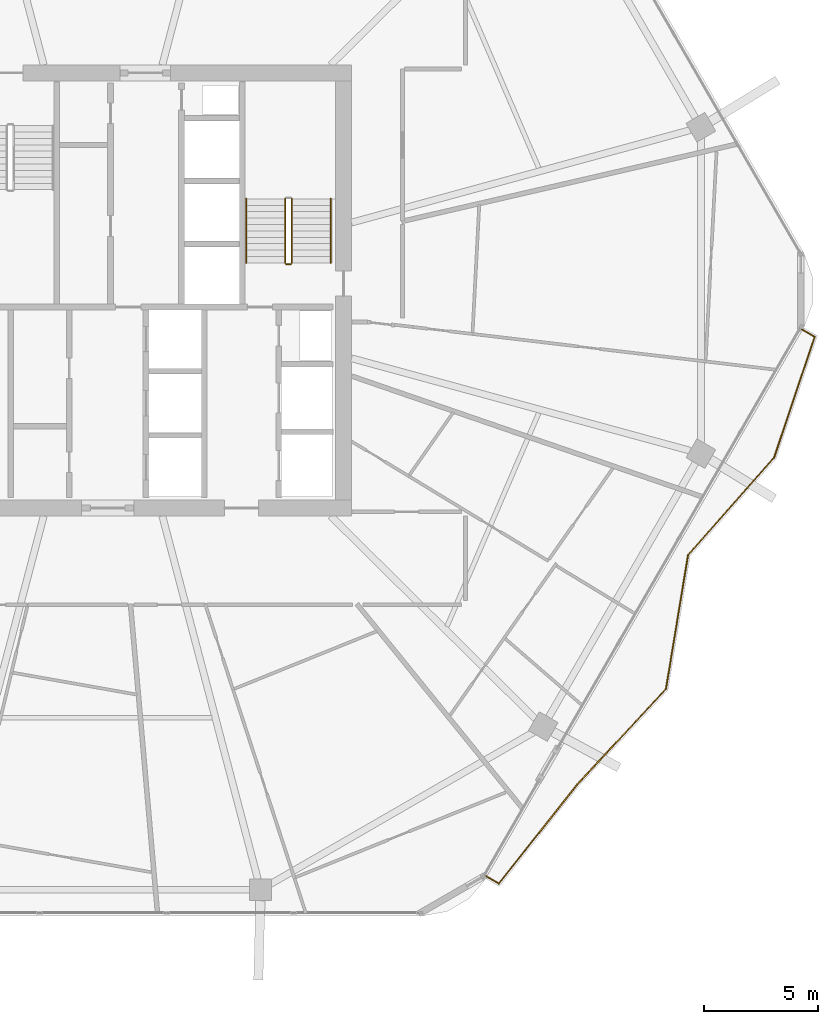
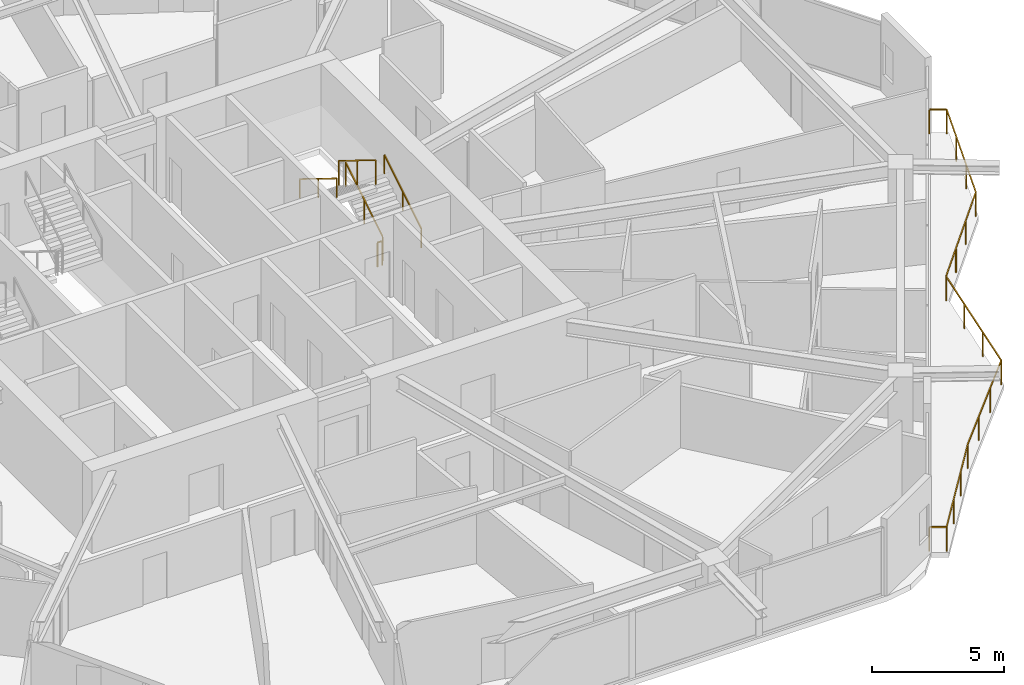
# One storey, part 24 of 26: 6 railings.
"""IFC4 building model written with IfcOpenShell, lengths in metres."""

import ifcopenshell
import ifcopenshell.guid

model = None  # the IFC model being written
_history = None  # IfcOwnerHistory: only IFC2X3 demands one
_inside = {}  # id of a spatial element -> (the spatial element, [elements in it])
_under = {}  # id of a project, library or spatial element -> (it, [spatial elements below it])
_declared = {}  # id of a project -> (the project, [libraries it declares])
_typed = {}  # id of a type object -> (the type object, [elements of that type])
_made_of = {}  # id of a material, layer set ... -> (it, [elements and type objects made of it])


def new_model(schema):
    """Start an empty IFC model of exactly this schema.

    Asked for "IFC4X3", IfcOpenShell would pick the latest addendum, in which some entities
    have other attributes; the version numbers below select the first issue.
    IFC2X3 requires an IfcOwnerHistory on every rooted entity: one is made here for all.
    """
    global model, _history
    if schema == "IFC4X3":
        model = ifcopenshell.file(schema_version=(4, 3, 0, 0))
    else:
        model = ifcopenshell.file(schema=schema)
    _inside.clear()
    _under.clear()
    _declared.clear()
    _typed.clear()
    _made_of.clear()
    _history = None
    if model.schema == "IFC2X3":
        org = make("IfcOrganization", Name="unknown")
        user = make(
            "IfcPersonAndOrganization",
            ThePerson=make("IfcPerson", FamilyName="unknown"),
            TheOrganization=org,
        )
        app = make(
            "IfcApplication",
            ApplicationDeveloper=org,
            Version="unknown",
            ApplicationFullName="unknown",
            ApplicationIdentifier="unknown",
        )
        _history = make(
            "IfcOwnerHistory",
            OwningUser=user,
            OwningApplication=app,
            ChangeAction="ADDED",
            CreationDate=0,
        )
    return model


def make(cls, **values):
    """One entity of the class cls with the attributes given. An attribute that is None is left unset."""
    return model.create_entity(
        cls, **{name: value for name, value in values.items() if value is not None}
    )


def rooted(cls, **values):
    """An entity with a GlobalId (a new one), such as an element, a storey or a relation."""
    return make(cls, GlobalId=ifcopenshell.guid.new(), OwnerHistory=_history, **values)


def si_unit(unit_type, name, prefix=None):
    """IfcSIUnit, for example si_unit("LENGTHUNIT", "METRE", prefix="MILLI")."""
    return make("IfcSIUnit", UnitType=unit_type, Prefix=prefix, Name=name)


def assignment(units):
    """IfcUnitAssignment: the units of a project."""
    return None if units is None else make("IfcUnitAssignment", Units=units)


def point(xyz):
    """IfcCartesianPoint."""
    return None if xyz is None else make("IfcCartesianPoint", Coordinates=xyz)


def direction(xyz):
    """IfcDirection."""
    return None if xyz is None else make("IfcDirection", DirectionRatios=xyz)


def frame(location, z_axis=None, x_axis=None):
    """IfcAxis2Placement3D, a coordinate frame: its origin and axes. An axis left out is left unset."""
    return make(
        "IfcAxis2Placement3D",
        Location=point(location),
        Axis=direction(z_axis),
        RefDirection=direction(x_axis),
    )


def frame_2d(location, x_axis=None):
    """IfcAxis2Placement2D, a coordinate frame in the plane: its origin and x axis."""
    return make(
        "IfcAxis2Placement2D", Location=point(location), RefDirection=direction(x_axis)
    )


def origin():
    """The frame at (0, 0, 0) with its axes left unset."""
    return frame((0.0, 0.0, 0.0))


def origin_2d():
    """The frame at (0, 0) in the plane with its x axis left unset."""
    return frame_2d((0.0, 0.0))


def place(relative_to, where):
    """IfcLocalPlacement: puts the frame where relative to a parent placement (None: the world)."""
    return make(
        "IfcLocalPlacement", PlacementRelTo=relative_to, RelativePlacement=where
    )


def context(
    kind, dimensions, precision=None, world=None, true_north=None, identifier=None
):
    """IfcGeometricRepresentationContext, for example the 3D "Model" context."""
    return make(
        "IfcGeometricRepresentationContext",
        ContextIdentifier=identifier,
        ContextType=kind,
        CoordinateSpaceDimension=dimensions,
        Precision=precision,
        WorldCoordinateSystem=world,
        TrueNorth=true_north,
    )


def subcontext(parent, identifier, kind, view, scale=None):
    """IfcGeometricRepresentationSubContext, for example "Body" below "Model"."""
    return make(
        "IfcGeometricRepresentationSubContext",
        ContextIdentifier=identifier,
        ContextType=kind,
        ParentContext=parent,
        TargetScale=scale,
        TargetView=view,
    )


def project(units=None, contexts=None):
    """IfcProject with its units and contexts."""
    return rooted(
        "IfcProject",
        Name="project",
        RepresentationContexts=contexts,
        UnitsInContext=assignment(units),
    )


def spatial(cls, under=None, at=None, **own):
    """A site, building, storey or space (cls), placed at a placement, below another one or the project."""
    s = rooted(cls, ObjectPlacement=at, **own)
    if under is not None:
        _under.setdefault(under.id(), (under, []))[1].append(s)
    return s


def profile(cls, at=None, kind="AREA", **sizes):
    """A parametric profile (cls). Its sizes go by their IFC names, for example OverallWidth=200.0."""
    return make(cls, ProfileType=kind, Position=at, **sizes)


def rectangle(**sizes):
    """IfcRectangleProfileDef."""
    return profile("IfcRectangleProfileDef", **sizes)


def extrude(swept, where, along, depth):
    """IfcExtrudedAreaSolid: the profile swept, set in the frame where, extruded along a direction by depth."""
    return make(
        "IfcExtrudedAreaSolid",
        SweptArea=swept,
        Position=where,
        ExtrudedDirection=direction(along),
        Depth=depth,
    )


def shape(context_of_items, identifier, shape_type, items):
    """IfcShapeRepresentation: the items that make up one representation, for example the "Body"."""
    return make(
        "IfcShapeRepresentation",
        ContextOfItems=context_of_items,
        RepresentationIdentifier=identifier,
        RepresentationType=shape_type,
        Items=items,
    )


def material(Name=None, Category=None):
    """IfcMaterial."""
    return make("IfcMaterial", Name=Name, Category=Category)


def made_of(thing, what):
    """Note that an element or type object is made of a material, layer set ...; save() writes the relation."""
    if what is not None:
        _made_of.setdefault(what.id(), (what, []))[1].append(thing)
    return thing


def type_object(cls, material=None, **own):
    """A type object (cls), such as IfcWallType, which elements share."""
    return made_of(rooted(cls, **own), material)


def element(
    cls,
    number,
    at=None,
    inside=None,
    cuts=None,
    type_object=None,
    material=None,
    context=None,
    identifier="Body",
    shape_type=None,
    held_by="IfcProductDefinitionShape",
    body=None,
    shapes=None,
    **own,
):
    """One element of the class cls, such as IfcWall. Its Tag is "e" and its number.

    at: its placement. inside: the storey or other place that contains it. cuts: it is an
    opening in that element (IfcRelVoidsElement). A single representation is given by context,
    identifier, shape_type and body (its items); several are given by shapes. held_by: the class
    of the entity that holds the representations. save() writes the other relations.
    """
    e = rooted(cls, Tag="e%d" % number, ObjectPlacement=at, **own)
    if body is not None:
        shapes = [shape(context, identifier, shape_type, body)]
    if shapes is not None:
        e.Representation = make(held_by, Representations=shapes)
    if inside is not None:
        _inside.setdefault(inside.id(), (inside, []))[1].append(e)
    if cuts is not None:
        rooted(
            "IfcRelVoidsElement", RelatingBuildingElement=cuts, RelatedOpeningElement=e
        )
    if type_object is not None:
        _typed.setdefault(type_object.id(), (type_object, []))[1].append(e)
    return made_of(e, material)


def aggregate(whole, parts):
    """IfcRelAggregates: a whole, such as a stair, and the parts it consists of."""
    return rooted("IfcRelAggregates", RelatingObject=whole, RelatedObjects=parts)


def save(model, path):
    """Write the relations noted so far, then the file.

    IfcRelAggregates (storeys below a building ...), IfcRelContainedInSpatialStructure (elements
    in a storey), IfcRelDefinesByType, IfcRelAssociatesMaterial and IfcRelDeclares: one each for
    every whole, place, type object, material and project.
    """
    for whole, parts in _under.values():
        aggregate(whole, parts)
    for where, things in _inside.values():
        rooted(
            "IfcRelContainedInSpatialStructure",
            RelatedElements=things,
            RelatingStructure=where,
        )
    for kind, things in _typed.values():
        rooted("IfcRelDefinesByType", RelatedObjects=things, RelatingType=kind)
    for what, things in _made_of.values():
        rooted("IfcRelAssociatesMaterial", RelatedObjects=things, RelatingMaterial=what)
    for by, libraries in _declared.values():
        rooted("IfcRelDeclares", RelatingContext=by, RelatedDefinitions=libraries)
    model.write(path)


model = new_model("IFC4")

# Units and contexts
model_context = context("Model", 3, precision=1e-05, world=origin(), true_north=direction((0.0, 1.0)))
body_context = subcontext(model_context, "Body", "Model", "MODEL_VIEW")
ifc_project = project(units=[si_unit("LENGTHUNIT", "METRE"), si_unit("AREAUNIT", "SQUARE_METRE"), si_unit("VOLUMEUNIT", "CUBIC_METRE"), si_unit("PLANEANGLEUNIT", "RADIAN"), si_unit("MASSUNIT", "GRAM", prefix="KILO")], contexts=[model_context])

# Site, building, storey
site_placement = place(None, origin())
site = spatial("IfcSite", under=ifc_project, at=site_placement, CompositionType="ELEMENT")
building_placement = place(site_placement, origin())
building = spatial("IfcBuilding", under=site, at=building_placement, Name="Zuhravey Tower", CompositionType="ELEMENT")
storey_placement = place(building_placement, frame((0.0, 0.0, 211.199951171875)))
storey = spatial("IfcBuildingStorey", under=building, at=storey_placement, Name="L53", CompositionType="ELEMENT", Elevation=211.199951171875)

# Railings
ifc_material_1 = material(Name="Stainless steel 316 and laminated glass", Category="steel")
railing_type_1 = type_object("IfcRailingType", Name="Balcony & Terrace Guardrail 1150", PredefinedType="BALUSTRADE", material=ifc_material_1)
railing_1_placement = place(storey_placement, frame((66.510009765625, 30.308349609375, 0.0)))
element("IfcRailing", 1, at=railing_1_placement, inside=storey, type_object=railing_type_1, Name="L53 Face 6 Wave Balcony Guardrail GR1", PredefinedType="BALUSTRADE", context=body_context, shape_type="SweptSolid", body=[
    extrude(rectangle(XDim=0.048095703125, YDim=0.048095703125, at=origin_2d()), frame((0.001708984375, -0.0009765625, 1.1259765625), z_axis=(0.865950774653, -0.500129239174, 0.0), x_axis=(0.500129239174, 0.865950774653, 0.0)), (0.0, 0.0, 1.0), 0.654052734375),
    extrude(rectangle(XDim=0.048095703125, YDim=0.048095703125, at=origin_2d()), frame((0.569091796875, -0.3310546875, 1.1259765625), z_axis=(-0.318384894849, -0.947961528086, 0.0), x_axis=(0.947961528086, -0.318384894849, 0.0)), (0.0, 0.0, 1.0), 5.562255859375),
    extrude(rectangle(XDim=0.048095703125, YDim=0.048095703125, at=origin_2d()), frame((-1.20361328125, -5.607177734375, 1.1259765625), z_axis=(-0.662043929434, -0.749465032873, 0.0), x_axis=(0.749465032873, -0.662043929434, 0.0)), (0.0, 0.0, 1.0), 5.673583984375),
    extrude(rectangle(XDim=0.048095703125, YDim=0.048095703125, at=origin_2d()), frame((-4.96142578125, -9.86279296875, 1.1259765625), z_axis=(-0.16285124071, -0.986650633912, 0.0), x_axis=(0.986650633912, -0.16285124071, 0.0)), (0.0, 0.0, 1.0), 5.93115234375),
    extrude(rectangle(XDim=0.048095703125, YDim=0.048095703125, at=origin_2d()), frame((-5.92919921875, -15.71826171875, 1.1259765625), z_axis=(-0.680908118019, -0.732368851615, 0.0), x_axis=(0.732368851615, -0.680908118019, 0.0)), (0.0, 0.0, 1.0), 5.670166015625),
    extrude(rectangle(XDim=0.048095703125, YDim=0.048095703125, at=origin_2d()), frame((-9.79248046875, -19.873779296875, 1.1259765625), z_axis=(-0.620429402916, -0.784262300507, 0.0), x_axis=(0.784262300507, -0.620429402916, 0.0)), (0.0, 0.0, 1.0), 5.529052734375),
    extrude(rectangle(XDim=0.048095703125, YDim=0.048095703125, at=origin_2d()), frame((-13.225830078125, -24.210693359375, 1.1259765625), z_axis=(-0.865911816314, 0.500196687681, 0.0), x_axis=(-0.500196687681, -0.865911816314, 0.0)), (0.0, 0.0, 1.0), 0.649658203125),
    extrude(rectangle(XDim=0.0419921875, YDim=0.0419921875, at=origin_2d()), origin(), (0.0, 0.0, 1.0), 1.099853515625),
    extrude(rectangle(XDim=0.0419921875, YDim=0.0419921875, at=origin_2d()), frame((0.56982421875, -0.3291015625, 0.0)), (0.0, 0.0, 1.0), 1.099853515625),
    extrude(rectangle(XDim=0.0419921875, YDim=0.0419921875, at=origin_2d()), frame((-0.02099609375, -2.087890625, 0.0)), (0.0, 0.0, 1.0), 1.099853515625),
    extrude(rectangle(XDim=0.0419921875, YDim=0.0419921875, at=origin_2d()), frame((-0.611572265625, -3.846923828125, 0.0)), (0.0, 0.0, 1.0), 1.099853515625),
    extrude(rectangle(XDim=0.0419921875, YDim=0.0419921875, at=origin_2d()), frame((-1.202392578125, -5.605712890625, 0.0)), (0.0, 0.0, 1.0), 1.099853515625),
    extrude(rectangle(XDim=0.0419921875, YDim=0.0419921875, at=origin_2d()), frame((-2.455322265625, -7.024169921875, 0.0)), (0.0, 0.0, 1.0), 1.099853515625),
    extrude(rectangle(XDim=0.0419921875, YDim=0.0419921875, at=origin_2d()), frame((-3.708251953125, -8.4423828125, 0.0)), (0.0, 0.0, 1.0), 1.099853515625),
    extrude(rectangle(XDim=0.0419921875, YDim=0.0419921875, at=origin_2d()), frame((-4.961181640625, -9.86083984375, 0.0)), (0.0, 0.0, 1.0), 1.099853515625),
    extrude(rectangle(XDim=0.0419921875, YDim=0.0419921875, at=origin_2d()), frame((-5.283447265625, -11.812744140625, 0.0)), (0.0, 0.0, 1.0), 1.099853515625),
    extrude(rectangle(XDim=0.0419921875, YDim=0.0419921875, at=origin_2d()), frame((-5.60546875, -13.764892578125, 0.0)), (0.0, 0.0, 1.0), 1.099853515625),
    extrude(rectangle(XDim=0.0419921875, YDim=0.0419921875, at=origin_2d()), frame((-5.927734375, -15.716796875, 0.0)), (0.0, 0.0, 1.0), 1.099853515625),
    extrude(rectangle(XDim=0.0419921875, YDim=0.0419921875, at=origin_2d()), frame((-7.215576171875, -17.10205078125, 0.0)), (0.0, 0.0, 1.0), 1.099853515625),
    extrude(rectangle(XDim=0.0419921875, YDim=0.0419921875, at=origin_2d()), frame((-8.50341796875, -18.487060546875, 0.0)), (0.0, 0.0, 1.0), 1.099853515625),
    extrude(rectangle(XDim=0.0419921875, YDim=0.0419921875, at=origin_2d()), frame((-9.791259765625, -19.872314453125, 0.0)), (0.0, 0.0, 1.0), 1.099853515625),
    extrude(rectangle(XDim=0.0419921875, YDim=0.0419921875, at=origin_2d()), frame((-10.935546875, -21.31884765625, 0.0)), (0.0, 0.0, 1.0), 1.099853515625),
    extrude(rectangle(XDim=0.0419921875, YDim=0.0419921875, at=origin_2d()), frame((-12.079833984375, -22.76513671875, 0.0)), (0.0, 0.0, 1.0), 1.099853515625),
    extrude(rectangle(XDim=0.0419921875, YDim=0.0419921875, at=origin_2d()), frame((-13.22412109375, -24.211669921875, 0.0)), (0.0, 0.0, 1.0), 1.099853515625),
    extrude(rectangle(XDim=0.0419921875, YDim=0.0419921875, at=origin_2d()), frame((-13.7900390625, -23.884765625, 0.0)), (0.0, 0.0, 1.0), 1.099853515625),
])
ifc_material_2 = material(Name="Brushed stainless steel", Category="steel")
railing_type_2 = type_object("IfcRailingType", Name="Stair Wall Handrail 900", PredefinedType="HANDRAIL", material=ifc_material_2)
railing_2_placement = place(storey_placement, frame((45.949951171875, 33.199951171875, 0.1728515625)))
element("IfcRailing", 2, at=railing_2_placement, inside=storey, type_object=railing_type_2, Name="L53 ST2 stair handrail 1", PredefinedType="HANDRAIL", context=body_context, shape_type="SweptSolid", body=[
    extrude(rectangle(XDim=0.048095703125, YDim=0.048095703125, at=origin_2d()), frame((0.0, 0.001708984375, 0.876953125), z_axis=(0.0, 0.851089632645, 0.525020415988), x_axis=(-1.0, 0.0, 0.0)), (0.0, 0.0, 1.0), 3.285888671875),
    extrude(rectangle(XDim=0.0419921875, YDim=0.0419921875, at=origin_2d()), origin(), (0.0, 0.0, 1.0), 0.849853515625),
    extrude(rectangle(XDim=0.0419921875, YDim=0.0419921875, at=origin_2d()), frame((0.0, 1.39990234375, 0.86376953125)), (0.0, 0.0, 1.0), 0.849853515625),
    extrude(rectangle(XDim=0.0419921875, YDim=0.0419921875, at=origin_2d()), frame((0.0, 2.800048828125, 1.727294921875)), (0.0, 0.0, 1.0), 0.849853515625),
])
railing_3_placement = place(storey_placement, frame((42.25, 36.0, 2.07275390625)))
element("IfcRailing", 3, at=railing_3_placement, inside=storey, type_object=railing_type_2, Name="L53 ST2 stair handrail 2", PredefinedType="HANDRAIL", context=body_context, shape_type="SweptSolid", body=[
    extrude(rectangle(XDim=0.048095703125, YDim=0.048095703125, at=origin_2d()), frame((0.0, -0.001708984375, 0.876953125), z_axis=(0.0, -0.851089632645, 0.525020415988), x_axis=(1.0, 0.0, 0.0)), (0.0, 0.0, 1.0), 3.285888671875),
    extrude(rectangle(XDim=0.0419921875, YDim=0.0419921875, at=origin_2d()), origin(), (0.0, 0.0, 1.0), 0.849853515625),
    extrude(rectangle(XDim=0.0419921875, YDim=0.0419921875, at=origin_2d()), frame((0.0, -1.39990234375, 0.86376953125)), (0.0, 0.0, 1.0), 0.849853515625),
    extrude(rectangle(XDim=0.0419921875, YDim=0.0419921875, at=origin_2d()), frame((0.0, -2.800048828125, 1.727294921875)), (0.0, 0.0, 1.0), 0.849853515625),
])
ifc_material_3 = material(Name="Painted tubular steel", Category="steel")
railing_type_3 = type_object("IfcRailingType", Name="Stair Well Guardrail 1150", PredefinedType="GUARDRAIL", material=ifc_material_3)
railing_4_placement = place(storey_placement, frame((44.25, 33.199951171875, 0.1728515625)))
element("IfcRailing", 4, at=railing_4_placement, inside=storey, type_object=railing_type_3, Name="L53 ST2 stair guard 1", PredefinedType="GUARDRAIL", context=body_context, shape_type="SweptSolid", body=[
    extrude(rectangle(XDim=0.048095703125, YDim=0.048095703125, at=origin_2d()), frame((0.0, 0.001708984375, 1.126953125), z_axis=(0.0, 0.851089632645, 0.525020415988), x_axis=(-1.0, 0.0, 0.0)), (0.0, 0.0, 1.0), 3.285888671875),
    extrude(rectangle(XDim=0.0419921875, YDim=0.0419921875, at=origin_2d()), origin(), (0.0, 0.0, 1.0), 1.099853515625),
    extrude(rectangle(XDim=0.0419921875, YDim=0.0419921875, at=origin_2d()), frame((0.0, 1.39990234375, 0.86376953125)), (0.0, 0.0, 1.0), 1.099853515625),
    extrude(rectangle(XDim=0.0419921875, YDim=0.0419921875, at=origin_2d()), frame((0.0, 2.800048828125, 1.727294921875)), (0.0, 0.0, 1.0), 1.099853515625),
])
railing_5_placement = place(storey_placement, frame((43.949951171875, 36.0, 2.07275390625)))
element("IfcRailing", 5, at=railing_5_placement, inside=storey, type_object=railing_type_3, Name="L53 ST2 stair guard 3", PredefinedType="GUARDRAIL", context=body_context, shape_type="SweptSolid", body=[
    extrude(rectangle(XDim=0.048095703125, YDim=0.048095703125, at=origin_2d()), frame((0.0, -0.001708984375, 1.126953125), z_axis=(0.0, -0.851089632645, 0.525020415988), x_axis=(1.0, 0.0, 0.0)), (0.0, 0.0, 1.0), 3.285888671875),
    extrude(rectangle(XDim=0.0419921875, YDim=0.0419921875, at=origin_2d()), origin(), (0.0, 0.0, 1.0), 1.099853515625),
    extrude(rectangle(XDim=0.0419921875, YDim=0.0419921875, at=origin_2d()), frame((0.0, -1.39990234375, 0.86376953125)), (0.0, 0.0, 1.0), 1.099853515625),
    extrude(rectangle(XDim=0.0419921875, YDim=0.0419921875, at=origin_2d()), frame((0.0, -2.800048828125, 1.727294921875)), (0.0, 0.0, 1.0), 1.099853515625),
])
railing_6_placement = place(storey_placement, frame((44.199951171875, 33.14990234375, 0.0)))
element("IfcRailing", 6, at=railing_6_placement, inside=storey, type_object=railing_type_3, Name="L53 ST2 stair guard 4", PredefinedType="GUARDRAIL", context=body_context, shape_type="SweptSolid", body=[
    extrude(rectangle(XDim=0.048095703125, YDim=0.048095703125, at=origin_2d()), frame((-0.001953125, 0.0, 1.1259765625), z_axis=(-1.0, 0.0, 0.0), x_axis=(0.0, -1.0, 0.0)), (0.0, 0.0, 1.0), 0.196044921875),
    extrude(rectangle(XDim=0.0419921875, YDim=0.0419921875, at=origin_2d()), origin(), (0.0, 0.0, 1.0), 1.099853515625),
    extrude(rectangle(XDim=0.0419921875, YDim=0.0419921875, at=origin_2d()), frame((-0.199951171875, 0.0, 0.0)), (0.0, 0.0, 1.0), 1.099853515625),
])

save(model, "model.ifc")
